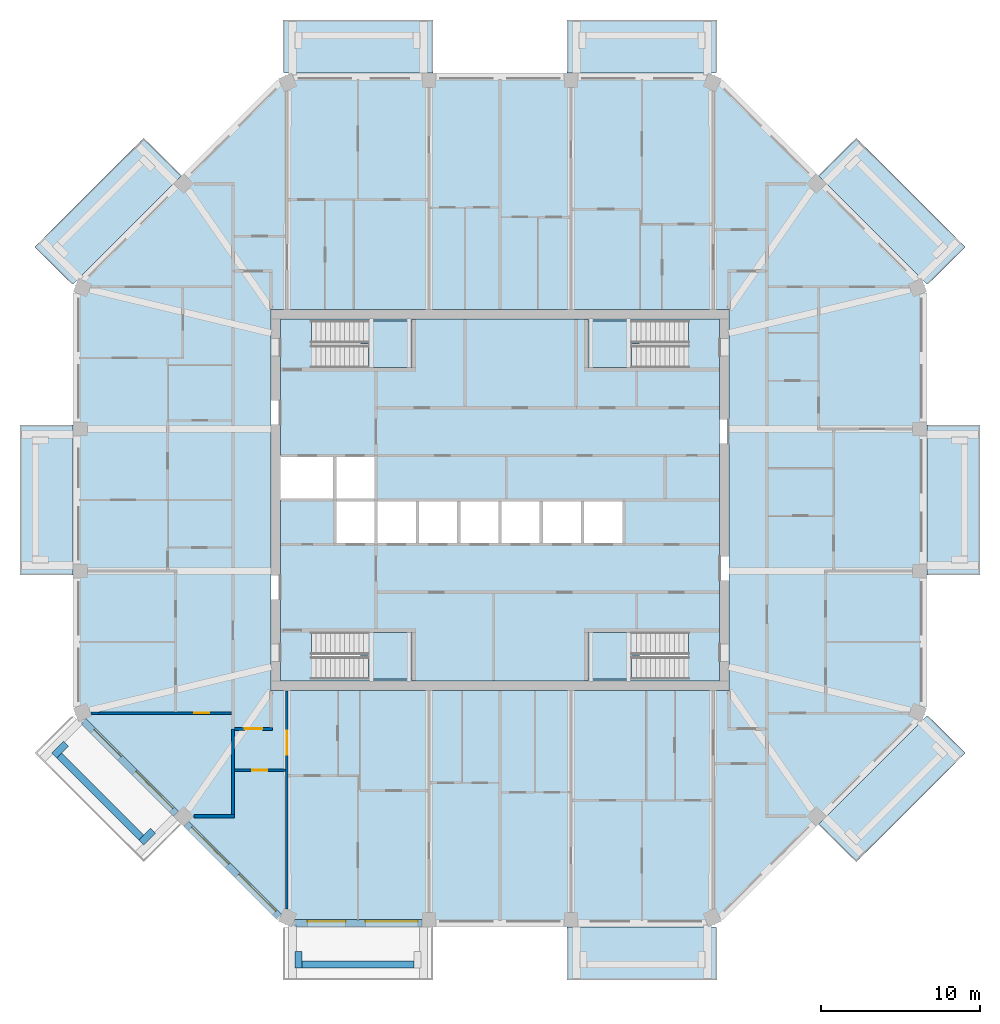
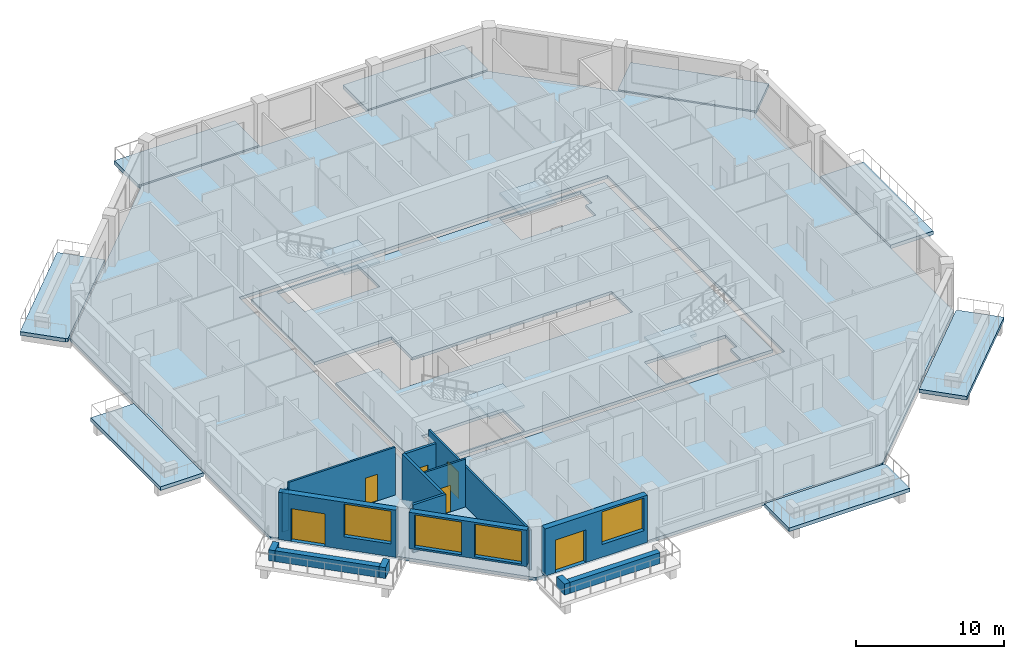
# One storey, part 2 of 13: 15 walls, 14 slabs, 6 doors, 4 windows, 10 openings, 4 elements without a shape of their own.
"""IFC4 building model written with IfcOpenShell, lengths in metres."""

from ifc_helpers import new_model, si_unit, direction, frame, frame_2d, origin, place, context, subcontext, project, spatial, polyline, rectangle, outline, extrude, material, layer, layer_set, type_object, element, fill, aggregate, save


model = new_model("IFC4")

# Units and contexts
model_context = context("Model", 3, precision=1e-05, world=origin(), true_north=direction((0.0, 1.0)))
body_context = subcontext(model_context, "Body", "Model", "MODEL_VIEW")
ifc_project = project(units=[si_unit("LENGTHUNIT", "METRE"), si_unit("AREAUNIT", "SQUARE_METRE"), si_unit("VOLUMEUNIT", "CUBIC_METRE"), si_unit("PLANEANGLEUNIT", "RADIAN"), si_unit("MASSUNIT", "GRAM", prefix="KILO")], contexts=[model_context])

# Site, building, storey
site_placement = place(None, origin())
site = spatial("IfcSite", under=ifc_project, at=site_placement, CompositionType="ELEMENT")
building_placement = place(site_placement, origin())
building = spatial("IfcBuilding", under=site, at=building_placement, Name="Msitu Wima Residences", CompositionType="ELEMENT")
storey_placement = place(building_placement, frame((0.0, 0.0, 285.300048828125)))
storey = spatial("IfcBuildingStorey", under=building, at=storey_placement, Name="L66", CompositionType="ELEMENT", Elevation=285.300048828125)

# Slabs
ifc_material_1 = material(Name="Concrete C40/50", Category="concrete")
ifc_layer_1 = layer(ifc_material_1, 0.300048828125)
ifc_layer_set_1 = layer_set([ifc_layer_1], Name="Concrete C40/50")
slab_type_1 = type_object("IfcSlabType", Name="Balcony slab BS300", PredefinedType="FLOOR", material=ifc_layer_set_1)
slab_1_placement = place(storey_placement, frame((0.0, 0.0, -0.300048828125)))
element("IfcSlab", 1, at=slab_1_placement, inside=storey, type_object=slab_type_1, Name="Balcony E1 L66", PredefinedType="FLOOR", context=body_context, shape_type="SweptSolid", body=[
    extrude(outline(polyline([(26.85009765625, -4.0185546875), (26.85009765625, 4.0185546875), (26.85009765625, 4.71875), (30.199951171875, 4.71875), (30.199951171875, -4.71875), (26.85009765625, -4.71875), (26.85009765625, -4.0185546875)])), origin(), (0.0, 0.0, 1.0), 0.300048828125),
])
slab_2_placement = place(storey_placement, frame((0.0, 0.0, -0.300048828125)))
element("IfcSlab", 2, at=slab_2_placement, inside=storey, type_object=slab_type_1, Name="Balcony NE0 L66", PredefinedType="FLOOR", context=body_context, shape_type="SweptSolid", body=[
    extrude(outline(polyline([(26.505615234375, 13.936767578125), (26.505615234375, 13.936767578125), (20.04443359375, 20.39794921875), (22.4130859375, 22.766845703125), (29.263671875, 15.916015625), (27.003662109375, 13.656005859375), (26.85009765625, 13.59228515625), (26.505615234375, 13.936767578125), (26.505615234375, 13.936767578125)])), origin(), (0.0, 0.0, 1.0), 0.300048828125),
])
slab_3_placement = place(storey_placement, frame((0.0, 0.0, -0.300048828125)))
element("IfcSlab", 3, at=slab_3_placement, inside=storey, type_object=slab_type_1, Name="Balcony N0 L66", PredefinedType="FLOOR", context=body_context, shape_type="SweptSolid", body=[
    extrude(outline(polyline([(13.105224609375, 26.85009765625), (13.105224609375, 26.85009765625), (4.918701171875, 26.85009765625), (4.21875, 26.85009765625), (4.21875, 30.199951171875), (13.656005859375, 30.199951171875), (13.656005859375, 27.003662109375), (13.59228515625, 26.85009765625), (13.105224609375, 26.85009765625), (13.105224609375, 26.85009765625)])), origin(), (0.0, 0.0, 1.0), 0.300048828125),
])
slab_4_placement = place(storey_placement, frame((0.0, 0.0, -0.300048828125)))
element("IfcSlab", 4, at=slab_4_placement, inside=storey, type_object=slab_type_1, Name="Balcony N2 L66", PredefinedType="FLOOR", context=body_context, shape_type="SweptSolid", body=[
    extrude(outline(polyline([(-13.105224609375, 26.85009765625), (-13.105224609375, 26.85009765625), (-13.105224609375, 26.85009765625), (-13.59228515625, 26.85009765625), (-13.656005859375, 27.003662109375), (-13.656005859375, 30.199951171875), (-4.21875, 30.199951171875), (-4.21875, 26.85009765625), (-4.918701171875, 26.85009765625), (-13.105224609375, 26.85009765625)])), origin(), (0.0, 0.0, 1.0), 0.300048828125),
])
slab_5_placement = place(storey_placement, frame((0.0, 0.0, -0.300048828125)))
element("IfcSlab", 5, at=slab_5_placement, inside=storey, type_object=slab_type_1, Name="Balcony NW1 L66", PredefinedType="FLOOR", context=body_context, shape_type="SweptSolid", body=[
    extrude(outline(polyline([(-26.505615234375, 13.936767578125), (-26.505615234375, 13.936767578125), (-26.85009765625, 13.59228515625), (-27.003662109375, 13.656005859375), (-29.263671875, 15.916015625), (-22.4130859375, 22.766845703125), (-20.04443359375, 20.39794921875), (-26.505615234375, 13.936767578125), (-26.505615234375, 13.936767578125)])), origin(), (0.0, 0.0, 1.0), 0.300048828125),
])
slab_6_placement = place(storey_placement, frame((0.0, 0.0, -0.300048828125)))
element("IfcSlab", 6, at=slab_6_placement, inside=storey, type_object=slab_type_1, Name="Balcony W1 L66", PredefinedType="FLOOR", context=body_context, shape_type="SweptSolid", body=[
    extrude(outline(polyline([(-26.85009765625, 4.0185546875), (-26.85009765625, -4.0185546875), (-26.85009765625, -4.71875), (-30.199951171875, -4.71875), (-30.199951171875, 4.71875), (-26.85009765625, 4.71875), (-26.85009765625, 4.0185546875)])), origin(), (0.0, 0.0, 1.0), 0.300048828125),
])
slab_7_placement = place(storey_placement, frame((0.0, 0.0, -0.300048828125)))
element("IfcSlab", 7, at=slab_7_placement, inside=storey, type_object=slab_type_1, Name="Balcony S2 L66", PredefinedType="FLOOR", context=body_context, shape_type="SweptSolid", body=[
    extrude(outline(polyline([(13.105224609375, -26.85009765625), (13.105224609375, -26.85009765625), (13.105224609375, -26.85009765625), (13.59228515625, -26.85009765625), (13.656005859375, -27.003662109375), (13.656005859375, -30.199951171875), (4.21875, -30.199951171875), (4.21875, -26.85009765625), (4.918701171875, -26.85009765625), (13.105224609375, -26.85009765625)])), origin(), (0.0, 0.0, 1.0), 0.300048828125),
])
slab_8_placement = place(storey_placement, frame((0.0, 0.0, -0.300048828125)))
element("IfcSlab", 8, at=slab_8_placement, inside=storey, type_object=slab_type_1, Name="Balcony SE1 L66", PredefinedType="FLOOR", context=body_context, shape_type="SweptSolid", body=[
    extrude(outline(polyline([(26.505615234375, -13.936767578125), (26.505615234375, -13.936767578125), (26.85009765625, -13.59228515625), (27.003662109375, -13.656005859375), (29.263671875, -15.916015625), (22.4130859375, -22.766845703125), (20.04443359375, -20.39794921875), (26.505615234375, -13.936767578125), (26.505615234375, -13.936767578125)])), origin(), (0.0, 0.0, 1.0), 0.300048828125),
])
ifc_layer_2 = layer(ifc_material_1, 0.25)
ifc_layer_set_2 = layer_set([ifc_layer_2], Name="Concrete C40/50")
slab_type_2 = type_object("IfcSlabType", Name="Core floor CF250", PredefinedType="FLOOR", material=ifc_layer_set_2)
slab_9_placement = place(storey_placement, frame((0.0, 0.0, -0.25)))
element("IfcSlab", 9, at=slab_9_placement, inside=storey, type_object=slab_type_2, Name="Core floor", PredefinedType="FLOOR", context=body_context, shape_type="SweptSolid", body=[
    extrude(outline(polyline([(-13.800048828125, 11.39990234375), (-13.800048828125, 2.800048828125), (-10.39990234375, 2.800048828125), (-7.800048828125, 2.800048828125), (-7.800048828125, 0.0), (-5.199951171875, 0.0), (-2.60009765625, 0.0), (0.0, 0.0), (2.60009765625, 0.0), (5.199951171875, 0.0), (7.800048828125, 0.0), (7.800048828125, -2.800048828125), (5.199951171875, -2.800048828125), (2.60009765625, -2.800048828125), (0.0, -2.800048828125), (-2.60009765625, -2.800048828125), (-5.199951171875, -2.800048828125), (-7.800048828125, -2.800048828125), (-10.39990234375, -2.800048828125), (-10.39990234375, 0.0), (-13.800048828125, 0.0), (-13.800048828125, -11.39990234375), (13.800048828125, -11.39990234375), (13.800048828125, 11.39990234375), (-13.800048828125, 11.39990234375)]), holes=[polyline([(-11.375, -11.27490234375), (-11.375, -9.875), (-11.87451171875, -9.875), (-11.87451171875, -8.324951171875), (-5.52490234375, -8.324951171875), (-5.52490234375, -11.27490234375), (-11.375, -11.27490234375)]), polyline([(-11.375, 8.324951171875), (-11.375, 9.72509765625), (-11.87451171875, 9.72509765625), (-11.87451171875, 11.27490234375), (-5.52490234375, 11.27490234375), (-5.52490234375, 8.324951171875), (-11.375, 8.324951171875)]), polyline([(11.375, -9.875), (11.375, -11.27490234375), (5.52490234375, -11.27490234375), (5.52490234375, -8.324951171875), (11.87451171875, -8.324951171875), (11.87451171875, -9.875), (11.375, -9.875)]), polyline([(11.375, 9.72509765625), (11.375, 8.324951171875), (5.52490234375, 8.324951171875), (5.52490234375, 11.27490234375), (11.87451171875, 11.27490234375), (11.87451171875, 9.72509765625), (11.375, 9.72509765625)])]), origin(), (0.0, 0.0, 1.0), 0.25),
])
ifc_layer_3 = layer(ifc_material_1, 0.25)
ifc_layer_set_3 = layer_set([ifc_layer_3], Name="Concrete C40/50")
slab_type_3 = type_object("IfcSlabType", Name="PT flat slab 250 Concrete C40/50", PredefinedType="FLOOR", material=ifc_layer_set_3)
slab_10_placement = place(storey_placement, frame((0.0, 0.0, -0.25)))
element("IfcSlab", 10, at=slab_10_placement, inside=storey, type_object=slab_type_3, Name="Floor slab L66", PredefinedType="FLOOR", context=body_context, shape_type="SweptSolid", body=[
    extrude(outline(polyline([(26.699951171875, -13.5302734375), (13.5302734375, -26.699951171875), (-13.5302734375, -26.699951171875), (-26.699951171875, -13.5302734375), (-26.699951171875, 13.5302734375), (-13.5302734375, 26.699951171875), (13.5302734375, 26.699951171875), (26.699951171875, 13.5302734375), (26.699951171875, -13.5302734375)]), holes=[polyline([(-14.39990234375, -12.0), (14.39990234375, -12.0), (14.39990234375, 12.0), (-14.39990234375, 12.0), (-14.39990234375, -12.0)])]), origin(), (0.0, 0.0, 1.0), 0.25),
])

# Stair, slab
stair_type = type_object("IfcStairType", Name="Exit stair ES1615-140", PredefinedType="HALF_TURN_STAIR", material=ifc_material_1)
stair_1_placement = place(storey_placement, origin())
stair_1 = element("IfcStair", 11, at=stair_1_placement, inside=storey, type_object=stair_type, Name="Exit stair 1", PredefinedType="HALF_TURN_STAIR")
ifc_layer_4 = layer(ifc_material_1, 0.199951171875)
ifc_layer_set_4 = layer_set([ifc_layer_4], Name="Concrete C40/50")
slab_type_4 = type_object("IfcSlabType", Name="Stair landing SL200", PredefinedType="LANDING", material=ifc_layer_set_4)
slab_11_placement = place(storey_placement, frame((0.0, 0.0, 1.89990234375)))
slab_11 = element("IfcSlab", 12, at=slab_11_placement, type_object=slab_type_4, Name="S1 landing 1", PredefinedType="LANDING", context=body_context, shape_type="SweptSolid", body=[
    extrude(outline(polyline([(-5.52490234375, 8.324951171875), (-8.275390625, 8.324951171875), (-8.275390625, 9.800048828125), (-8.77490234375, 9.800048828125), (-8.77490234375, 11.27490234375), (-5.52490234375, 11.27490234375), (-5.52490234375, 8.324951171875)])), origin(), (0.0, 0.0, 1.0), 0.199951171875),
])
aggregate(stair_1, [slab_11])

stair_2_placement = place(storey_placement, origin())
stair_2 = element("IfcStair", 13, at=stair_2_placement, inside=storey, type_object=stair_type, Name="Exit stair 2", PredefinedType="HALF_TURN_STAIR")
slab_12_placement = place(storey_placement, frame((0.0, 0.0, 1.89990234375)))
slab_12 = element("IfcSlab", 14, at=slab_12_placement, type_object=slab_type_4, Name="S2 landing 1", PredefinedType="LANDING", context=body_context, shape_type="SweptSolid", body=[
    extrude(outline(polyline([(-5.52490234375, -11.27490234375), (-8.275390625, -11.27490234375), (-8.275390625, -9.800048828125), (-8.77490234375, -9.800048828125), (-8.77490234375, -8.324951171875), (-5.52490234375, -8.324951171875), (-5.52490234375, -11.27490234375)])), origin(), (0.0, 0.0, 1.0), 0.199951171875),
])
aggregate(stair_2, [slab_12])

stair_3_placement = place(storey_placement, origin())
stair_3 = element("IfcStair", 15, at=stair_3_placement, inside=storey, type_object=stair_type, Name="Exit stair 3", PredefinedType="HALF_TURN_STAIR")
slab_13_placement = place(storey_placement, frame((0.0, 0.0, 1.89990234375)))
slab_13 = element("IfcSlab", 16, at=slab_13_placement, type_object=slab_type_4, Name="S3 landing 1", PredefinedType="LANDING", context=body_context, shape_type="SweptSolid", body=[
    extrude(outline(polyline([(5.52490234375, 8.324951171875), (8.275390625, 8.324951171875), (8.275390625, 9.800048828125), (8.77490234375, 9.800048828125), (8.77490234375, 11.27490234375), (5.52490234375, 11.27490234375), (5.52490234375, 8.324951171875)])), origin(), (0.0, 0.0, 1.0), 0.199951171875),
])
aggregate(stair_3, [slab_13])

stair_4_placement = place(storey_placement, origin())
stair_4 = element("IfcStair", 17, at=stair_4_placement, inside=storey, type_object=stair_type, Name="Exit stair 4", PredefinedType="HALF_TURN_STAIR")
slab_14_placement = place(storey_placement, frame((0.0, 0.0, 1.89990234375)))
slab_14 = element("IfcSlab", 18, at=slab_14_placement, type_object=slab_type_4, Name="S4 landing 1", PredefinedType="LANDING", context=body_context, shape_type="SweptSolid", body=[
    extrude(outline(polyline([(5.52490234375, -11.27490234375), (8.275390625, -11.27490234375), (8.275390625, -9.800048828125), (8.77490234375, -9.800048828125), (8.77490234375, -8.324951171875), (5.52490234375, -8.324951171875), (5.52490234375, -11.27490234375)])), origin(), (0.0, 0.0, 1.0), 0.199951171875),
])
aggregate(stair_4, [slab_14])

# Walls
ifc_material_2 = material(Name="Facing brick")
ifc_layer_5 = layer(ifc_material_2, 0.06494140625, Name="Facing brick")
ifc_layer_6 = layer(ifc_material_1, 0.156005859375, Name="Concrete C40/50")
ifc_material_3 = material(Name="Waterproofing membrane")
ifc_layer_7 = layer(ifc_material_3, 0.00390625, Name="Waterproofing membrane")
ifc_material_4 = material(Name="Planting soil and planting")
ifc_layer_8 = layer(ifc_material_4, 0.22509765625, Name="Planting soil and planting")
ifc_layer_set_5 = layer_set([ifc_layer_5, ifc_layer_6, ifc_layer_7, ifc_layer_8], Name="Concrete C40/50")
wall_type_1 = type_object("IfcWallType", Name="Balcony planter PLANTER PL450", PredefinedType="USERDEFINED", material=ifc_layer_set_5)
wall_1_placement = place(storey_placement, frame((-27.725830078125, -16.0751953125, 0.0), z_axis=(0.0, 0.0, 1.0), x_axis=(0.707106781187, -0.707106781187, 0.0)))
element("IfcWall", 19, at=wall_1_placement, inside=storey, type_object=wall_type_1, Name="Balcony planter SW0 L66", ObjectType="PLANTER", PredefinedType="USERDEFINED", context=body_context, shape_type="SweptSolid", body=[
    extrude(rectangle(XDim=7.288330078125, YDim=0.449951171875, at=frame_2d((3.64404296875, 0.0))), origin(), (0.0, 0.0, 1.0), 0.89990234375),
])
for number, where, z_axis, x_axis, name in (
    (20, (-27.301513671875, -15.332763671875, 0.0), (0.0, 0.0, 1.0), (-0.707106781187, -0.707106781187, 0.0), "Balcony planter SW0 L66"),
    (21, (-21.829833984375, -20.804443359375, 0.0), (0.0, 0.0, 1.0), (-0.707106781187, -0.707106781187, 0.0), "Balcony planter SW0 L66"),
):
    element("IfcWall", number, at=place(storey_placement, frame(where, z_axis=z_axis, x_axis=x_axis)), inside=storey, type_object=wall_type_1, Name=name, ObjectType="PLANTER", PredefinedType="USERDEFINED", context=body_context, shape_type="SweptSolid", body=[
        extrude(rectangle(XDim=1.050048828125, YDim=0.449951171875, at=frame_2d((0.52490234375, 0.0))), origin(), (0.0, 0.0, 1.0), 0.89990234375),
    ])
wall_2_placement = place(storey_placement, frame((-12.455810546875, -29.22509765625, 0.0), z_axis=(0.0, 0.0, 1.0), x_axis=(1.0, 0.0, 0.0)))
element("IfcWall", 22, at=wall_2_placement, inside=storey, type_object=wall_type_1, Name="Balcony planter S0 L66", ObjectType="PLANTER", PredefinedType="USERDEFINED", context=body_context, shape_type="SweptSolid", body=[
    extrude(rectangle(XDim=7.037109375, YDim=0.449951171875, at=frame_2d((3.5185546875, 0.0))), origin(), (0.0, 0.0, 1.0), 0.89990234375),
])
wall_3_placement = place(storey_placement, frame((-12.680908203125, -28.39990234375, 0.0), z_axis=(0.0, 0.0, 1.0), x_axis=(0.0, -1.0, 0.0)))
element("IfcWall", 23, at=wall_3_placement, inside=storey, type_object=wall_type_1, Name="Balcony planter S0 L66", ObjectType="PLANTER", PredefinedType="USERDEFINED", context=body_context, shape_type="SweptSolid", body=[
    extrude(rectangle(XDim=1.050048828125, YDim=0.449951171875, at=frame_2d((0.52490234375, 0.0))), origin(), (0.0, 0.0, 1.0), 0.89990234375),
])

# Wall, openings, door, window
ifc_material_5 = material(Name="Brick (red buff mix)", Category="masonry")
ifc_layer_9 = layer(ifc_material_5, 0.449951171875)
ifc_layer_set_6 = layer_set([ifc_layer_9], Name="Brick (red buff mix)")
wall_type_2 = type_object("IfcWallType", Name="Brick infill wall BW450", PredefinedType="SOLIDWALL", material=ifc_layer_set_6)
wall_4_placement = place(storey_placement, frame((-26.214599609375, -13.909423828125, 0.0), z_axis=(0.0, 0.0, 1.0), x_axis=(0.707106781187, -0.707106781187, 0.0)))
wall_4 = element("IfcWall", 24, at=wall_4_placement, inside=storey, type_object=wall_type_2, Name="Brick infill wall L66 SW0", PredefinedType="SOLIDWALL", context=body_context, shape_type="SweptSolid", body=[
    extrude(rectangle(XDim=8.251220703125, YDim=0.449951171875, at=frame_2d((4.12548828125, 0.0))), origin(), (0.0, 0.0, 1.0), 3.89990234375),
])
opening_1_placement = place(wall_4_placement, frame((0.86279296875, 0.0, 0.0)))
opening_1 = element("IfcOpeningElement", 25, at=opening_1_placement, cuts=wall_4, Name="Opening D65-67.009", PredefinedType="OPENING", context=body_context, shape_type="SweptSolid", body=[
    extrude(rectangle(XDim=2.39990234375, YDim=2.699951171875, at=frame_2d((1.199951171875, 1.35009765625))), frame((0.0, 0.23486328125, 0.0), z_axis=(0.0, -1.0, 0.0), x_axis=(1.0, 0.0, 0.0)), (0.0, 0.0, 1.0), 0.469970703125),
])
opening_2_placement = place(wall_4_placement, frame((4.57568359375, 0.0, 1.050048828125)))
opening_2 = element("IfcOpeningElement", 26, at=opening_2_placement, cuts=wall_4, Name="Opening W65-67.023", PredefinedType="OPENING", context=body_context, shape_type="SweptSolid", body=[
    extrude(rectangle(XDim=3.300048828125, YDim=2.699951171875, at=frame_2d((1.64990234375, 1.35009765625))), frame((0.0, 0.23486328125, 0.0), z_axis=(0.0, -1.0, 0.0), x_axis=(1.0, 0.0, 0.0)), (0.0, 0.0, 1.0), 0.469970703125),
])
ifc_material_6 = material(Name="Anodised aluminium, bronze finish, clear low-emissivity double glazing", Category="aluminium")
door_type_1 = type_object("IfcDoorType", Name="Balcony door D2400x2700", OperationType="SLIDING_TO_LEFT", PredefinedType="DOOR", material=ifc_material_6)
door_1_placement = place(opening_1_placement, origin())
door_1 = element("IfcDoor", 27, at=door_1_placement, inside=storey, type_object=door_type_1, Name="Balcony door L66 SW0", OperationType="SINGLE_SWING_LEFT", OverallHeight=2.699951171875, OverallWidth=2.39990234375, PredefinedType="DOOR", context=body_context, shape_type="SweptSolid", body=[
    extrude(rectangle(XDim=2.39990234375, YDim=2.699951171875, at=frame_2d((1.199951171875, 1.35009765625))), frame((0.0, 0.1298828125, 0.0), z_axis=(0.0, -1.0, 0.0), x_axis=(1.0, 0.0, 0.0)), (0.0, 0.0, 1.0), 0.050048828125),
])
fill(opening_1, door_1)
window_type = type_object("IfcWindowType", Name="Window W3300x2700", PartitioningType="DOUBLE_PANEL_VERTICAL", PredefinedType="WINDOW", material=ifc_material_6)
window_1_placement = place(opening_2_placement, origin())
window_1 = element("IfcWindow", 28, at=window_1_placement, inside=storey, type_object=window_type, Name="Window L66 SW0.2", OverallHeight=2.699951171875, OverallWidth=3.300048828125, PartitioningType="SINGLE_PANEL", PredefinedType="WINDOW", context=body_context, shape_type="SweptSolid", body=[
    extrude(rectangle(XDim=3.300048828125, YDim=2.699951171875, at=frame_2d((1.64990234375, 1.35009765625))), frame((0.0, 0.135009765625, 0.0), z_axis=(0.0, -1.0, 0.0), x_axis=(1.0, 0.0, 0.0)), (0.0, 0.0, 1.0), 0.06005859375),
])
fill(opening_2, window_1)

# Wall, openings, windows
wall_5_placement = place(storey_placement, frame((-19.743896484375, -20.380126953125, 0.89990234375), z_axis=(0.0, 0.0, 1.0), x_axis=(0.707106781187, -0.707106781187, 0.0)))
wall_5 = element("IfcWall", 29, at=wall_5_placement, inside=storey, type_object=wall_type_2, Name="Brick infill wall L66 SW1", PredefinedType="SOLIDWALL", context=body_context, shape_type="SweptSolid", body=[
    extrude(rectangle(XDim=8.251220703125, YDim=0.449951171875, at=frame_2d((4.12548828125, 0.0))), origin(), (0.0, 0.0, 1.0), 3.0),
])
opening_3_placement = place(wall_5_placement, frame((0.37548828125, 0.0, 0.14990234375)))
opening_3 = element("IfcOpeningElement", 30, at=opening_3_placement, cuts=wall_5, Name="Opening W65-67.024", PredefinedType="OPENING", context=body_context, shape_type="SweptSolid", body=[
    extrude(rectangle(XDim=3.300048828125, YDim=2.699951171875, at=frame_2d((1.64990234375, 1.35009765625))), frame((0.0, 0.23486328125, 0.0), z_axis=(0.0, -1.0, 0.0), x_axis=(1.0, 0.0, 0.0)), (0.0, 0.0, 1.0), 0.469970703125),
])
opening_4_placement = place(wall_5_placement, frame((4.57568359375, 0.0, 0.14990234375)))
opening_4 = element("IfcOpeningElement", 31, at=opening_4_placement, cuts=wall_5, Name="Opening W65-67.025", PredefinedType="OPENING", context=body_context, shape_type="SweptSolid", body=[
    extrude(rectangle(XDim=3.300048828125, YDim=2.699951171875, at=frame_2d((1.64990234375, 1.35009765625))), frame((0.0, 0.23486328125, 0.0), z_axis=(0.0, -1.0, 0.0), x_axis=(1.0, 0.0, 0.0)), (0.0, 0.0, 1.0), 0.469970703125),
])
window_2_placement = place(opening_3_placement, origin())
window_2 = element("IfcWindow", 32, at=window_2_placement, inside=storey, type_object=window_type, Name="Window L66 SW1.1", OverallHeight=2.699951171875, OverallWidth=3.300048828125, PartitioningType="SINGLE_PANEL", PredefinedType="WINDOW", context=body_context, shape_type="SweptSolid", body=[
    extrude(rectangle(XDim=3.300048828125, YDim=2.699951171875, at=frame_2d((1.64990234375, 1.35009765625))), frame((0.0, 0.135009765625, 0.0), z_axis=(0.0, -1.0, 0.0), x_axis=(1.0, 0.0, 0.0)), (0.0, 0.0, 1.0), 0.06005859375),
])
fill(opening_3, window_2)
window_3_placement = place(opening_4_placement, origin())
window_3 = element("IfcWindow", 33, at=window_3_placement, inside=storey, type_object=window_type, Name="Window L66 SW1.2", OverallHeight=2.699951171875, OverallWidth=3.300048828125, PartitioningType="SINGLE_PANEL", PredefinedType="WINDOW", context=body_context, shape_type="SweptSolid", body=[
    extrude(rectangle(XDim=3.300048828125, YDim=2.699951171875, at=frame_2d((1.64990234375, 1.35009765625))), frame((0.0, 0.135009765625, 0.0), z_axis=(0.0, -1.0, 0.0), x_axis=(1.0, 0.0, 0.0)), (0.0, 0.0, 1.0), 0.06005859375),
])
fill(opening_4, window_3)

# Wall, openings, door, window
wall_6_placement = place(storey_placement, frame((-12.918701171875, -26.625, 0.0), z_axis=(0.0, 0.0, 1.0), x_axis=(1.0, 0.0, 0.0)))
wall_6 = element("IfcWall", 34, at=wall_6_placement, inside=storey, type_object=wall_type_2, Name="Brick infill wall L66 S0", PredefinedType="SOLIDWALL", context=body_context, shape_type="SweptSolid", body=[
    extrude(rectangle(XDim=8.0, YDim=0.449951171875, at=frame_2d((4.0, 0.0))), origin(), (0.0, 0.0, 1.0), 3.89990234375),
])
opening_5_placement = place(wall_6_placement, frame((0.800048828125, 0.0, 0.0)))
opening_5 = element("IfcOpeningElement", 35, at=opening_5_placement, cuts=wall_6, Name="Opening D65-67.006", PredefinedType="OPENING", context=body_context, shape_type="SweptSolid", body=[
    extrude(rectangle(XDim=2.39990234375, YDim=2.699951171875, at=frame_2d((1.199951171875, 1.35009765625))), frame((0.0, 0.23486328125, 0.0), z_axis=(0.0, -1.0, 0.0), x_axis=(1.0, 0.0, 0.0)), (0.0, 0.0, 1.0), 0.469970703125),
])
opening_6_placement = place(wall_6_placement, frame((4.4501953125, 0.0, 1.050048828125)))
opening_6 = element("IfcOpeningElement", 36, at=opening_6_placement, cuts=wall_6, Name="Opening W65-67.016", PredefinedType="OPENING", context=body_context, shape_type="SweptSolid", body=[
    extrude(rectangle(XDim=3.300048828125, YDim=2.699951171875, at=frame_2d((1.64990234375, 1.35009765625))), frame((0.0, 0.23486328125, 0.0), z_axis=(0.0, -1.0, 0.0), x_axis=(1.0, 0.0, 0.0)), (0.0, 0.0, 1.0), 0.469970703125),
])
door_2_placement = place(opening_5_placement, origin())
door_2 = element("IfcDoor", 37, at=door_2_placement, inside=storey, type_object=door_type_1, Name="Balcony door L66 S0", OperationType="SINGLE_SWING_LEFT", OverallHeight=2.699951171875, OverallWidth=2.39990234375, PredefinedType="DOOR", context=body_context, shape_type="SweptSolid", body=[
    extrude(rectangle(XDim=2.39990234375, YDim=2.699951171875, at=frame_2d((1.199951171875, 1.35009765625))), frame((0.0, 0.1298828125, 0.0), z_axis=(0.0, -1.0, 0.0), x_axis=(1.0, 0.0, 0.0)), (0.0, 0.0, 1.0), 0.050048828125),
])
fill(opening_5, door_2)
window_4_placement = place(opening_6_placement, origin())
window_4 = element("IfcWindow", 38, at=window_4_placement, inside=storey, type_object=window_type, Name="Window L66 S0.2", OverallHeight=2.699951171875, OverallWidth=3.300048828125, PartitioningType="SINGLE_PANEL", PredefinedType="WINDOW", context=body_context, shape_type="SweptSolid", body=[
    extrude(rectangle(XDim=3.300048828125, YDim=2.699951171875, at=frame_2d((1.64990234375, 1.35009765625))), frame((0.0, 0.135009765625, 0.0), z_axis=(0.0, -1.0, 0.0), x_axis=(1.0, 0.0, 0.0)), (0.0, 0.0, 1.0), 0.06005859375),
])
fill(opening_6, window_4)

# Wall, opening, door
ifc_material_7 = material(Name="Plaster")
ifc_layer_10 = layer(ifc_material_7, 0.011962890625, Name="Plaster")
ifc_material_8 = material(Name="Concrete blockwork", Category="masonry")
ifc_layer_11 = layer(ifc_material_8, 0.176025390625, Name="Concrete blockwork")
ifc_layer_12 = layer(ifc_material_7, 0.011962890625, Name="Plaster")
ifc_layer_set_7 = layer_set([ifc_layer_10, ifc_layer_11, ifc_layer_12], Name="Concrete blockwork")
wall_type_3 = type_object("IfcWallType", Name="Corridor wall FW200", PredefinedType="PARTITIONING", material=ifc_layer_set_7)
wall_7_placement = place(storey_placement, frame((-16.699951171875, -14.39990234375, 0.0), z_axis=(0.0, 0.0, 1.0), x_axis=(1.0, 0.0, 0.0)))
wall_7 = element("IfcWall", 39, at=wall_7_placement, inside=storey, type_object=wall_type_3, Name="Corridor wall", PredefinedType="PARTITIONING", context=body_context, shape_type="SweptSolid", body=[
    extrude(rectangle(XDim=2.39990234375, YDim=0.199951171875, at=frame_2d((1.199951171875, 0.0))), origin(), (0.0, 0.0, 1.0), 3.949951171875),
])
opening_7_placement = place(wall_7_placement, frame((0.64990234375, 0.0, 0.0)))
opening_7 = element("IfcOpeningElement", 40, at=opening_7_placement, cuts=wall_7, Name="Opening D65-67.054", PredefinedType="OPENING", context=body_context, shape_type="SweptSolid", body=[
    extrude(rectangle(XDim=1.10009765625, YDim=2.39990234375, at=frame_2d((0.550048828125, 1.199951171875))), frame((0.0, 0.10986328125, 0.0), z_axis=(0.0, -1.0, 0.0), x_axis=(1.0, 0.0, 0.0)), (0.0, 0.0, 1.0), 0.219970703125),
])
ifc_material_9 = material(Name="Timber flush door, fire resisting, self-closing", Category="wood")
door_type_2 = type_object("IfcDoorType", Name="Flat entrance door D01 1100x2400", OperationType="SINGLE_SWING_LEFT", PredefinedType="DOOR", material=ifc_material_9)
door_3_placement = place(opening_7_placement, origin())
door_3 = element("IfcDoor", 41, at=door_3_placement, inside=storey, type_object=door_type_2, Name="Flat entrance door", OperationType="SINGLE_SWING_RIGHT", OverallHeight=2.39990234375, OverallWidth=1.10009765625, PredefinedType="DOOR", context=body_context, shape_type="SweptSolid", body=[
    extrude(rectangle(XDim=1.10009765625, YDim=2.39990234375, at=frame_2d((0.550048828125, 1.199951171875))), frame((0.0, 0.02490234375, 0.0), z_axis=(0.0, -1.0, 0.0), x_axis=(1.0, 0.0, 0.0)), (0.0, 0.0, 1.0), 0.050048828125),
])
fill(opening_7, door_3)

# Wall
ifc_layer_13 = layer(ifc_material_7, 0.011962890625, Name="Plaster")
ifc_layer_14 = layer(ifc_material_8, 0.1259765625, Name="Concrete blockwork")
ifc_layer_15 = layer(ifc_material_7, 0.011962890625, Name="Plaster")
ifc_layer_set_8 = layer_set([ifc_layer_13, ifc_layer_14, ifc_layer_15], Name="Concrete blockwork")
wall_type_4 = type_object("IfcWallType", Name="Partition PW150", PredefinedType="PARTITIONING", material=ifc_layer_set_8)
wall_8_placement = place(storey_placement, frame((-25.731201171875, -13.406005859375, 0.0), z_axis=(0.0, 0.0, 1.0), x_axis=(1.0, 0.0, 0.0)))
element("IfcWall", 42, at=wall_8_placement, inside=storey, type_object=wall_type_4, Name="Partition", PredefinedType="PARTITIONING", context=body_context, shape_type="SweptSolid", body=[
    extrude(rectangle(XDim=0.507080078125, YDim=0.14990234375, at=frame_2d((0.25341796875, 0.0))), origin(), (0.0, 0.0, 1.0), 3.349853515625),
])

# Wall, opening, door
wall_9_placement = place(storey_placement, frame((-25.22412109375, -13.406005859375, 0.0), z_axis=(0.0, 0.0, 1.0), x_axis=(1.0, 0.0, 0.0)))
wall_9 = element("IfcWall", 43, at=wall_9_placement, inside=storey, type_object=wall_type_4, Name="Partition", PredefinedType="PARTITIONING", context=body_context, shape_type="SweptSolid", body=[
    extrude(rectangle(XDim=8.32421875, YDim=0.14990234375, at=frame_2d((4.162109375, 0.0))), origin(), (0.0, 0.0, 1.0), 3.949951171875),
])
opening_8_placement = place(wall_9_placement, frame((5.992919921875, 0.0, 0.0)))
opening_8 = element("IfcOpeningElement", 44, at=opening_8_placement, cuts=wall_9, Name="Opening D65-67.043", PredefinedType="OPENING", context=body_context, shape_type="SweptSolid", body=[
    extrude(rectangle(XDim=0.949951171875, YDim=2.199951171875, at=frame_2d((0.47509765625, 1.10009765625))), frame((0.0, 0.0849609375, 0.0), z_axis=(0.0, -1.0, 0.0), x_axis=(1.0, 0.0, 0.0)), (0.0, 0.0, 1.0), 0.169921875),
])
ifc_material_10 = material(Name="Timber flush door", Category="wood")
door_type_3 = type_object("IfcDoorType", Name="Room door D12 950x2200", OperationType="SINGLE_SWING_LEFT", PredefinedType="DOOR", material=ifc_material_10)
door_4_placement = place(opening_8_placement, origin())
door_4 = element("IfcDoor", 45, at=door_4_placement, inside=storey, type_object=door_type_3, Name="Room door", OperationType="SINGLE_SWING_LEFT", OverallHeight=2.199951171875, OverallWidth=0.949951171875, PredefinedType="DOOR", context=body_context, shape_type="SweptSolid", body=[
    extrude(rectangle(XDim=0.949951171875, YDim=2.199951171875, at=frame_2d((0.47509765625, 1.10009765625))), frame((0.0, 0.02490234375, 0.0), z_axis=(0.0, -1.0, 0.0), x_axis=(1.0, 0.0, 0.0)), (0.0, 0.0, 1.0), 0.050048828125),
])
fill(opening_8, door_4)

wall_10_placement = place(storey_placement, frame((-16.699951171875, -17.0, 0.0), z_axis=(0.0, 0.0, 1.0), x_axis=(1.0, 0.0, 0.0)))
wall_10 = element("IfcWall", 46, at=wall_10_placement, inside=storey, type_object=wall_type_4, Name="Partition", PredefinedType="PARTITIONING", context=body_context, shape_type="SweptSolid", body=[
    extrude(rectangle(XDim=3.218994140625, YDim=0.14990234375, at=frame_2d((1.609375, 0.0))), origin(), (0.0, 0.0, 1.0), 3.949951171875),
])
opening_9_placement = place(wall_10_placement, frame((1.10009765625, 0.0, 0.0)))
opening_9 = element("IfcOpeningElement", 47, at=opening_9_placement, cuts=wall_10, Name="Opening D65-67.057", PredefinedType="OPENING", context=body_context, shape_type="SweptSolid", body=[
    extrude(rectangle(XDim=0.949951171875, YDim=2.199951171875, at=frame_2d((0.47509765625, 1.10009765625))), frame((0.0, 0.0849609375, 0.0), z_axis=(0.0, -1.0, 0.0), x_axis=(1.0, 0.0, 0.0)), (0.0, 0.0, 1.0), 0.169921875),
])
door_5_placement = place(opening_9_placement, origin())
door_5 = element("IfcDoor", 48, at=door_5_placement, inside=storey, type_object=door_type_3, Name="Room door", OperationType="SINGLE_SWING_RIGHT", OverallHeight=2.199951171875, OverallWidth=0.949951171875, PredefinedType="DOOR", context=body_context, shape_type="SweptSolid", body=[
    extrude(rectangle(XDim=0.949951171875, YDim=2.199951171875, at=frame_2d((0.47509765625, 1.10009765625))), frame((0.0, 0.02490234375, 0.0), z_axis=(0.0, -1.0, 0.0), x_axis=(1.0, 0.0, 0.0)), (0.0, 0.0, 1.0), 0.050048828125),
])
fill(opening_9, door_5)

wall_11_placement = place(storey_placement, frame((-13.406005859375, -25.731201171875, 0.0), z_axis=(0.0, 0.0, 1.0), x_axis=(0.0, 1.0, 0.0)))
wall_11 = element("IfcWall", 49, at=wall_11_placement, inside=storey, type_object=wall_type_4, Name="Partition", PredefinedType="PARTITIONING", context=body_context, shape_type="SweptSolid", body=[
    extrude(rectangle(XDim=13.701171875, YDim=0.14990234375, at=frame_2d((6.8505859375, 0.0))), origin(), (0.0, 0.0, 1.0), 3.300048828125),
])
opening_10_placement = place(wall_11_placement, frame((9.699951171875, 0.0, 0.0)))
opening_10 = element("IfcOpeningElement", 50, at=opening_10_placement, cuts=wall_11, Name="Opening D65-67.055", PredefinedType="OPENING", context=body_context, shape_type="SweptSolid", body=[
    extrude(rectangle(XDim=1.5, YDim=2.199951171875, at=frame_2d((0.75, 1.10009765625))), frame((0.0, 0.0849609375, 0.0), z_axis=(0.0, -1.0, 0.0), x_axis=(1.0, 0.0, 0.0)), (0.0, 0.0, 1.0), 0.169921875),
])
ifc_material_11 = material(Name="Timber double door", Category="wood")
door_type_4 = type_object("IfcDoorType", Name="Double door D04 1500x2200", OperationType="DOUBLE_DOOR_SINGLE_SWING", PredefinedType="DOOR", material=ifc_material_11)
door_6_placement = place(opening_10_placement, origin())
door_6 = element("IfcDoor", 51, at=door_6_placement, inside=storey, type_object=door_type_4, Name="Double door", OperationType="DOUBLE_DOOR_SINGLE_SWING", OverallHeight=2.199951171875, OverallWidth=1.5, PredefinedType="DOOR", context=body_context, shape_type="SweptSolid", body=[
    extrude(rectangle(XDim=1.5, YDim=2.199951171875, at=frame_2d((0.75, 1.10009765625))), frame((0.0, 0.02490234375, 0.0), z_axis=(0.0, -1.0, 0.0), x_axis=(1.0, 0.0, 0.0)), (0.0, 0.0, 1.0), 0.050048828125),
])
fill(opening_10, door_6)

# Walls
ifc_layer_16 = layer(ifc_material_7, 0.011962890625, Name="Plaster")
ifc_material_12 = material(Name="Dense concrete blockwork", Category="masonry")
ifc_layer_17 = layer(ifc_material_12, 0.176025390625, Name="Dense concrete blockwork")
ifc_layer_18 = layer(ifc_material_7, 0.011962890625, Name="Plaster")
ifc_layer_set_9 = layer_set([ifc_layer_16, ifc_layer_17, ifc_layer_18], Name="Dense concrete blockwork")
wall_type_5 = type_object("IfcWallType", Name="Party wall PW200", PredefinedType="PARTITIONING", material=ifc_layer_set_9)
wall_12_placement = place(storey_placement, frame((-19.2666015625, -19.90283203125, 0.0), z_axis=(0.0, 0.0, 1.0), x_axis=(1.0, 0.0, 0.0)))
element("IfcWall", 52, at=wall_12_placement, inside=storey, type_object=wall_type_5, Name="Party wall", PredefinedType="PARTITIONING", context=body_context, shape_type="SweptSolid", body=[
    extrude(rectangle(XDim=2.566650390625, YDim=0.199951171875, at=frame_2d((1.283203125, 0.0))), origin(), (0.0, 0.0, 1.0), 3.949951171875),
])
wall_13_placement = place(storey_placement, frame((-16.800048828125, -19.802978515625, 0.0), z_axis=(0.0, 0.0, 1.0), x_axis=(0.0, 1.0, 0.0)))
element("IfcWall", 53, at=wall_13_placement, inside=storey, type_object=wall_type_5, Name="Party wall", PredefinedType="PARTITIONING", context=body_context, shape_type="SweptSolid", body=[
    extrude(rectangle(XDim=5.403076171875, YDim=0.199951171875, at=frame_2d((2.70166015625, 0.0))), origin(), (0.0, 0.0, 1.0), 3.949951171875),
])

save(model, "model.ifc")
